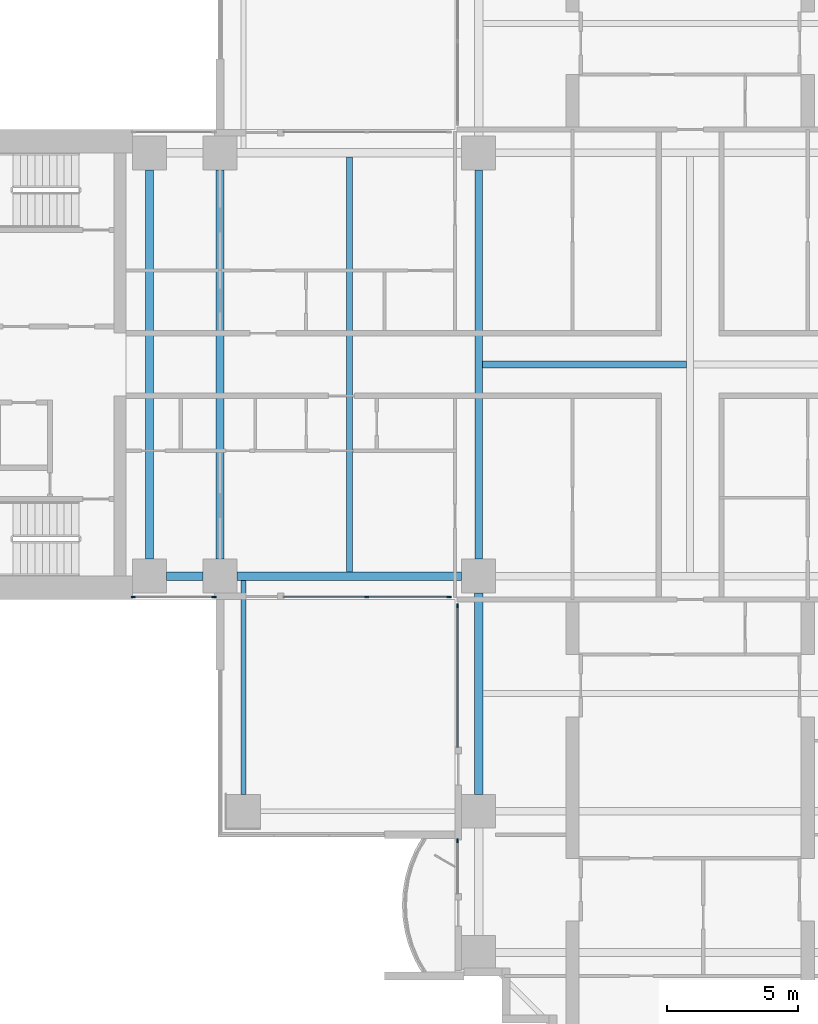
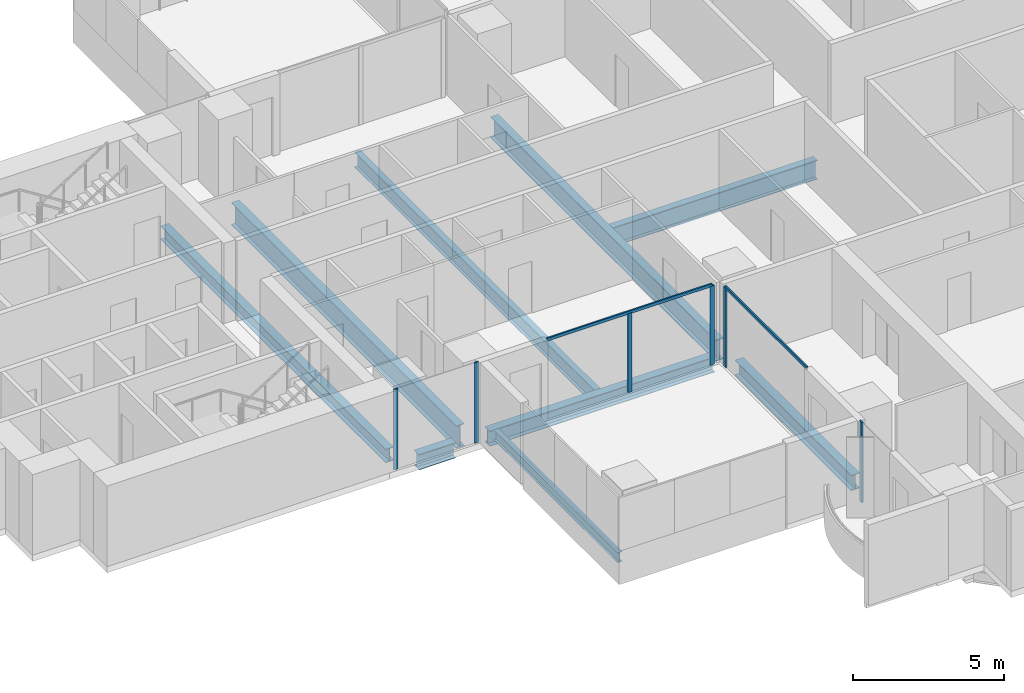
# One storey, part 2 of 20: 9 beams, 8 members, 4 elements without a shape of their own.
"""IFC4 building model written with IfcOpenShell, lengths in metres."""

from ifc_helpers import new_model, si_unit, direction, frame, origin, origin_2d, place, context, subcontext, project, spatial, rectangle, i_section, extrude, material, material_profile, profile_set, type_object, element, aggregate, save


model = new_model("IFC4")

# Units and contexts
model_context = context("Model", 3, precision=1e-05, world=origin(), true_north=direction((0.0, 1.0)))
body_context = subcontext(model_context, "Body", "Model", "MODEL_VIEW")
ifc_project = project(units=[si_unit("LENGTHUNIT", "METRE"), si_unit("AREAUNIT", "SQUARE_METRE"), si_unit("VOLUMEUNIT", "CUBIC_METRE"), si_unit("PLANEANGLEUNIT", "RADIAN"), si_unit("MASSUNIT", "GRAM", prefix="KILO")], contexts=[model_context])

# Site, building, storey
site_placement = place(None, origin())
site = spatial("IfcSite", under=ifc_project, at=site_placement, CompositionType="ELEMENT")
building_placement = place(site_placement, origin())
building = spatial("IfcBuilding", under=site, at=building_placement, Name="Perihelion Cross Residences", CompositionType="ELEMENT")
storey_placement = place(building_placement, frame((0.0, 0.0, 82.0)))
storey = spatial("IfcBuildingStorey", under=building, at=storey_placement, Name="L18", CompositionType="ELEMENT", Elevation=82.0)

# Curtain wall, members
ifc_material_1 = material(Name="Bronze anodised aluminium, tinted glazing", Category="aluminium")
curtain_wall_type = type_object("IfcCurtainWallType", Name="CW1", PredefinedType="NOTDEFINED", material=ifc_material_1)
curtain_wall_1_placement = place(storey_placement, origin())
curtain_wall_1 = element("IfcCurtainWall", 1, at=curtain_wall_1_placement, inside=storey, type_object=curtain_wall_type, Name="Curtain wall CW1 L18 west side south bay 1", PredefinedType="NOTDEFINED")
ifc_material_2 = material(Name="Bronze anodised aluminium", Category="aluminium")
ifc_material_profile_1 = material_profile(ifc_material_2, rectangle(XDim=0.06005859375, YDim=0.159912109375, at=origin_2d()), Name="CW1 mullion")
ifc_profile_set_1 = profile_set([ifc_material_profile_1], Name="Bronze anodised aluminium")
member_type_1 = type_object("IfcMemberType", Name="CW1 mullion", PredefinedType="MULLION", material=ifc_profile_set_1)
member_1_placement = place(storey_placement, frame((-21.320068359375, -8.89990234375, 0.0), z_axis=(0.0, 0.0, 1.0), x_axis=(0.0, 1.0, 0.0)))
member_1 = element("IfcMember", 2, at=member_1_placement, type_object=member_type_1, Name="CW1 mullion 1", PredefinedType="MULLION", context=body_context, shape_type="SweptSolid", body=[
    extrude(rectangle(XDim=0.06005859375, YDim=0.159912109375, at=origin_2d()), origin(), (0.0, 0.0, 1.0), 3.25),
])
member_2_placement = place(storey_placement, frame((-18.22998046875, -8.89990234375, 0.0), z_axis=(0.0, 0.0, 1.0), x_axis=(0.0, 1.0, 0.0)))
member_2 = element("IfcMember", 3, at=member_2_placement, type_object=member_type_1, Name="CW1 mullion 2", PredefinedType="MULLION", context=body_context, shape_type="SweptSolid", body=[
    extrude(rectangle(XDim=0.06005859375, YDim=0.159912109375, at=origin_2d()), origin(), (0.0, 0.0, 1.0), 3.25),
])
aggregate(curtain_wall_1, [member_1, member_2])

curtain_wall_2_placement = place(storey_placement, origin())
curtain_wall_2 = element("IfcCurtainWall", 4, at=curtain_wall_2_placement, inside=storey, type_object=curtain_wall_type, Name="Curtain wall CW1 L18 west side south bay 2", PredefinedType="NOTDEFINED")
member_3_placement = place(storey_placement, frame((-12.375, -8.89990234375, 0.0), z_axis=(0.0, 0.0, 1.0), x_axis=(0.0, 1.0, 0.0)))
member_3 = element("IfcMember", 5, at=member_3_placement, type_object=member_type_1, Name="CW1 mullion 2", PredefinedType="MULLION", context=body_context, shape_type="SweptSolid", body=[
    extrude(rectangle(XDim=0.06005859375, YDim=0.159912109375, at=origin_2d()), origin(), (0.0, 0.0, 1.0), 3.18994140625),
])
member_4_placement = place(storey_placement, frame((-9.22998046875, -8.89990234375, 0.0), z_axis=(0.0, 0.0, 1.0), x_axis=(0.0, 1.0, 0.0)))
member_4 = element("IfcMember", 6, at=member_4_placement, type_object=member_type_1, Name="CW1 mullion 3", PredefinedType="MULLION", context=body_context, shape_type="SweptSolid", body=[
    extrude(rectangle(XDim=0.06005859375, YDim=0.159912109375, at=origin_2d()), origin(), (0.0, 0.0, 1.0), 3.18994140625),
])

# Curtain wall, member
curtain_wall_3_placement = place(storey_placement, origin())
curtain_wall_3 = element("IfcCurtainWall", 7, at=curtain_wall_3_placement, inside=storey, type_object=curtain_wall_type, Name="Curtain wall CW1 L18 south side west bay 1", PredefinedType="NOTDEFINED")
member_5_placement = place(storey_placement, frame((-8.89990234375, -9.22998046875, 0.0), z_axis=(0.0, 0.0, 1.0), x_axis=(1.0, 0.0, 0.0)))
member_5 = element("IfcMember", 8, at=member_5_placement, type_object=member_type_1, Name="CW1 mullion 1", PredefinedType="MULLION", context=body_context, shape_type="SweptSolid", body=[
    extrude(rectangle(XDim=0.06005859375, YDim=0.159912109375, at=origin_2d()), origin(), (0.0, 0.0, 1.0), 3.18994140625),
])

curtain_wall_4_placement = place(storey_placement, origin())
curtain_wall_4 = element("IfcCurtainWall", 9, at=curtain_wall_4_placement, inside=storey, type_object=curtain_wall_type, Name="Curtain wall CW1 L18 south side west bay 2", PredefinedType="NOTDEFINED")
member_6_placement = place(storey_placement, frame((-8.89990234375, -18.22998046875, 0.0), z_axis=(0.0, 0.0, 1.0), x_axis=(1.0, 0.0, 0.0)))
member_6 = element("IfcMember", 10, at=member_6_placement, type_object=member_type_1, Name="CW1 mullion 1", PredefinedType="MULLION", context=body_context, shape_type="SweptSolid", body=[
    extrude(rectangle(XDim=0.06005859375, YDim=0.159912109375, at=origin_2d()), origin(), (0.0, 0.0, 1.0), 3.25),
])
aggregate(curtain_wall_4, [member_6])

# Member
ifc_material_3 = material(Name="Bronze anodised aluminium", Category="aluminium")
ifc_material_profile_2 = material_profile(ifc_material_3, rectangle(XDim=0.06005859375, YDim=0.1201171875, at=origin_2d()), Name="CW1 transom")
ifc_profile_set_2 = profile_set([ifc_material_profile_2], Name="Bronze anodised aluminium")
member_type_2 = type_object("IfcMemberType", Name="CW1 transom", PredefinedType="USERDEFINED", material=ifc_profile_set_2)
member_7_placement = place(storey_placement, frame((-15.550048828125, -8.89990234375, 3.219970703125), z_axis=(1.0, 0.0, 0.0), x_axis=(0.0, 1.0, 0.0)))
member_7 = element("IfcMember", 11, at=member_7_placement, type_object=member_type_2, Name="CW1 head transom", ObjectType="TRANSOM", PredefinedType="USERDEFINED", context=body_context, shape_type="SweptSolid", body=[
    extrude(rectangle(XDim=0.06005859375, YDim=0.1201171875, at=origin_2d()), origin(), (0.0, 0.0, 1.0), 6.320068359375),
])

aggregate(curtain_wall_2, [member_3, member_4, member_7])

member_8_placement = place(storey_placement, frame((-8.89990234375, -9.22998046875, 3.219970703125), z_axis=(0.0, -1.0, 0.0), x_axis=(1.0, 0.0, 0.0)))
member_8 = element("IfcMember", 12, at=member_8_placement, type_object=member_type_2, Name="CW1 head transom", ObjectType="TRANSOM", PredefinedType="USERDEFINED", context=body_context, shape_type="SweptSolid", body=[
    extrude(rectangle(XDim=0.06005859375, YDim=0.1201171875, at=origin_2d()), origin(), (0.0, 0.0, 1.0), 5.419921875),
])

aggregate(curtain_wall_3, [member_5, member_8])

# Beams
ifc_material_4 = material(Name="Steel S355", Category="steel")
ifc_material_profile_3 = material_profile(ifc_material_4, i_section(OverallWidth=0.177978515625, OverallDepth=0.406005859375, WebThickness=0.0078125, FlangeThickness=0.0126953125, at=origin_2d()), Name="W410x60")
ifc_profile_set_3 = profile_set([ifc_material_profile_3], Name="Steel S355")
beam_type_1 = type_object("IfcBeamType", Name="Core edge beam W410x60", PredefinedType="BEAM", material=ifc_profile_set_3)
beam_1_placement = place(storey_placement, frame((-17.10009765625, -8.262451171875, -0.452880859375), z_axis=(0.0, -1.0, 0.0), x_axis=(1.0, 0.0, 0.0)))
element("IfcBeam", 13, at=beam_1_placement, inside=storey, type_object=beam_type_1, Name="Core edge beam TB2 L18 corner no. 1", PredefinedType="BEAM", context=body_context, shape_type="SweptSolid", body=[
    extrude(i_section(OverallWidth=0.177978515625, OverallDepth=0.406005859375, WebThickness=0.0078125, FlangeThickness=0.0126953125, at=origin_2d()), origin(), (0.0, 0.0, 1.0), 8.1875),
])
ifc_material_5 = material(Name="Steel S355", Category="steel")
ifc_material_profile_4 = material_profile(ifc_material_5, i_section(OverallWidth=0.31201171875, OverallDepth=0.5439453125, WebThickness=0.0126953125, FlangeThickness=0.020263671875, at=origin_2d()), Name="W530x150")
ifc_profile_set_4 = profile_set([ifc_material_profile_4], Name="Steel S355")
beam_type_2 = type_object("IfcBeamType", Name="Core edge beam W530x150", PredefinedType="BEAM", material=ifc_profile_set_4)
beam_2_placement = place(storey_placement, frame((-20.699951171875, -7.449951171875, -0.52197265625), z_axis=(0.0, 1.0, 0.0), x_axis=(-1.0, 0.0, 0.0)))
element("IfcBeam", 14, at=beam_2_placement, inside=storey, type_object=beam_type_2, Name="Core edge beam TB4 L18 no. 1", PredefinedType="BEAM", context=body_context, shape_type="SweptSolid", body=[
    extrude(i_section(OverallWidth=0.31201171875, OverallDepth=0.5439453125, WebThickness=0.0126953125, FlangeThickness=0.020263671875, at=origin_2d()), origin(), (0.0, 0.0, 1.0), 14.89990234375),
])
ifc_material_6 = material(Name="Steel S355", Category="steel")
ifc_material_profile_5 = material_profile(ifc_material_6, i_section(OverallWidth=0.324951171875, OverallDepth=0.616943359375, WebThickness=0.013916015625, FlangeThickness=0.021484375, at=origin_2d()), Name="W610x174")
ifc_profile_set_5 = profile_set([ifc_material_profile_5], Name="Steel S355")
beam_type_3 = type_object("IfcBeamType", Name="Edge beam W610x174", PredefinedType="SPANDREL", material=ifc_profile_set_5)
beam_3_placement = place(storey_placement, frame((-20.050048828125, -8.10009765625, -0.55859375), z_axis=(1.0, 0.0, 0.0), x_axis=(0.0, 1.0, 0.0)))
element("IfcBeam", 15, at=beam_3_placement, inside=storey, type_object=beam_type_3, Name="Edge beam SB2 L18 no. 3", PredefinedType="SPANDREL", context=body_context, shape_type="SweptSolid", body=[
    extrude(i_section(OverallWidth=0.324951171875, OverallDepth=0.616943359375, WebThickness=0.013916015625, FlangeThickness=0.021484375, at=origin_2d()), origin(), (0.0, 0.0, 1.0), 1.400146484375),
])
beam_4_placement = place(storey_placement, frame((-17.35009765625, -8.10009765625, -0.55859375), z_axis=(1.0, 0.0, 0.0), x_axis=(0.0, 1.0, 0.0)))
element("IfcBeam", 16, at=beam_4_placement, inside=storey, type_object=beam_type_3, Name="Edge beam SB2 L18 no. 1", PredefinedType="SPANDREL", context=body_context, shape_type="SweptSolid", body=[
    extrude(i_section(OverallWidth=0.324951171875, OverallDepth=0.616943359375, WebThickness=0.013916015625, FlangeThickness=0.021484375, at=origin_2d()), origin(), (0.0, 0.0, 1.0), 8.60009765625),
])
beam_5_placement = place(storey_placement, frame((-8.10009765625, -8.75, -0.55859375), z_axis=(0.0, -1.0, 0.0), x_axis=(1.0, 0.0, 0.0)))
element("IfcBeam", 17, at=beam_5_placement, inside=storey, type_object=beam_type_3, Name="Edge beam SB2 L18 no. 6", PredefinedType="SPANDREL", context=body_context, shape_type="SweptSolid", body=[
    extrude(i_section(OverallWidth=0.324951171875, OverallDepth=0.616943359375, WebThickness=0.013916015625, FlangeThickness=0.021484375, at=origin_2d()), origin(), (0.0, 0.0, 1.0), 7.699951171875),
])
ifc_material_7 = material(Name="Steel S355", Category="steel")
ifc_material_profile_6 = material_profile(ifc_material_7, i_section(OverallWidth=0.304931640625, OverallDepth=0.904052734375, WebThickness=0.01513671875, FlangeThickness=0.02001953125, at=origin_2d()), Name="W920x201")
ifc_profile_set_6 = profile_set([ifc_material_profile_6], Name="Steel S355")
beam_type_4 = type_object("IfcBeamType", Name="Floor girder W920x201", PredefinedType="BEAM", material=ifc_profile_set_6)
beam_6_placement = place(storey_placement, frame((-18.0, -7.449951171875, -0.701904296875), z_axis=(0.0, 1.0, 0.0), x_axis=(-1.0, 0.0, 0.0)))
element("IfcBeam", 18, at=beam_6_placement, inside=storey, type_object=beam_type_4, Name="Girder G2 L18 no. 1", PredefinedType="BEAM", context=body_context, shape_type="SweptSolid", body=[
    extrude(i_section(OverallWidth=0.304931640625, OverallDepth=0.904052734375, WebThickness=0.01513671875, FlangeThickness=0.02001953125, at=origin_2d()), origin(), (0.0, 0.0, 1.0), 14.89990234375),
])
ifc_material_8 = material(Name="Steel S355", Category="steel")
ifc_material_profile_7 = material_profile(ifc_material_8, i_section(OverallWidth=0.22900390625, OverallDepth=0.612060546875, WebThickness=0.011962890625, FlangeThickness=0.01953125, at=origin_2d()), Name="W610x125")
ifc_profile_set_7 = profile_set([ifc_material_profile_7], Name="Steel S355")
beam_type_5 = type_object("IfcBeamType", Name="Floor joist W610x125", PredefinedType="JOIST", material=ifc_profile_set_7)
beam_7_placement = place(storey_placement, frame((-13.050048828125, -7.9375, -0.555908203125), z_axis=(0.0, 1.0, 0.0), x_axis=(-1.0, 0.0, 0.0)))
element("IfcBeam", 19, at=beam_7_placement, inside=storey, type_object=beam_type_5, Name="Joist J3 L18 no. 1", PredefinedType="JOIST", context=body_context, shape_type="SweptSolid", body=[
    extrude(i_section(OverallWidth=0.22900390625, OverallDepth=0.612060546875, WebThickness=0.011962890625, FlangeThickness=0.01953125, at=origin_2d()), origin(), (0.0, 0.0, 1.0), 15.875),
])
ifc_material_9 = material(Name="Steel S355", Category="steel")
ifc_material_profile_8 = material_profile(ifc_material_9, i_section(OverallWidth=0.26708984375, OverallDepth=0.77001953125, WebThickness=0.015625, FlangeThickness=0.025390625, at=origin_2d()), Name="W760x196")
ifc_profile_set_8 = profile_set([ifc_material_profile_8], Name="Steel S355")
beam_type_6 = type_object("IfcBeamType", Name="Hub cross beam W760x196", PredefinedType="BEAM", material=ifc_profile_set_8)
beam_8_placement = place(storey_placement, frame((-7.9541015625, 0.0, -0.635009765625), z_axis=(1.0, 0.0, 0.0), x_axis=(0.0, 1.0, 0.0)))
element("IfcBeam", 20, at=beam_8_placement, inside=storey, type_object=beam_type_6, Name="Hub cross beam XB2 L18 1 no. 1", PredefinedType="BEAM", context=body_context, shape_type="SweptSolid", body=[
    extrude(i_section(OverallWidth=0.26708984375, OverallDepth=0.77001953125, WebThickness=0.015625, FlangeThickness=0.025390625, at=origin_2d()), origin(), (0.0, 0.0, 1.0), 7.820556640625),
])
ifc_material_10 = material(Name="Steel S355", Category="steel")
ifc_material_profile_9 = material_profile(ifc_material_10, i_section(OverallWidth=0.2919921875, OverallDepth=0.85888671875, WebThickness=0.01708984375, FlangeThickness=0.031005859375, at=origin_2d()), Name="W840x251")
ifc_profile_set_9 = profile_set([ifc_material_profile_9], Name="Steel S355")
beam_type_7 = type_object("IfcBeamType", Name="Hub ring girder W840x251", PredefinedType="BEAM", material=ifc_profile_set_9)
beam_9_placement = place(storey_placement, frame((-8.10009765625, 7.449951171875, -0.679443359375), z_axis=(0.0, -1.0, 0.0), x_axis=(1.0, 0.0, 0.0)))
element("IfcBeam", 21, at=beam_9_placement, inside=storey, type_object=beam_type_7, Name="Hub ring girder RG2 L18 no. 2", PredefinedType="BEAM", context=body_context, shape_type="SweptSolid", body=[
    extrude(i_section(OverallWidth=0.2919921875, OverallDepth=0.85888671875, WebThickness=0.01708984375, FlangeThickness=0.031005859375, at=origin_2d()), origin(), (0.0, 0.0, 1.0), 14.89990234375),
])

save(model, "model.ifc")
